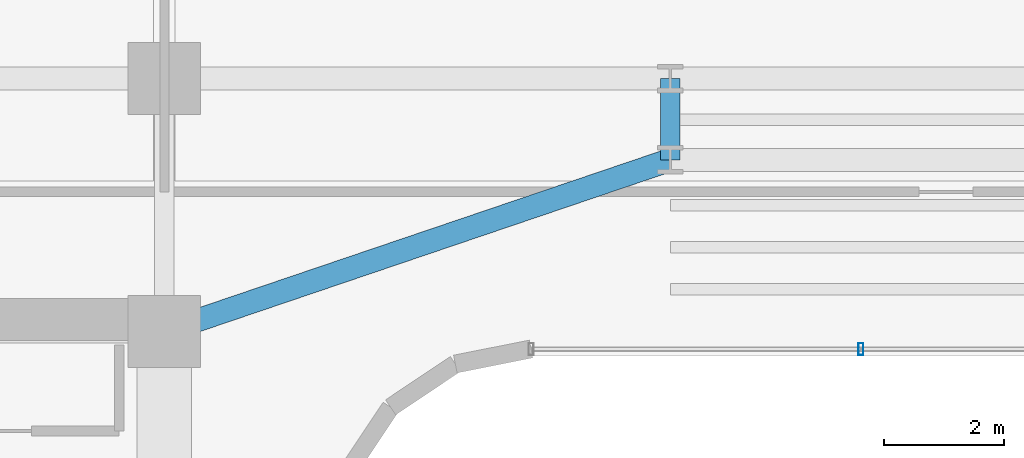
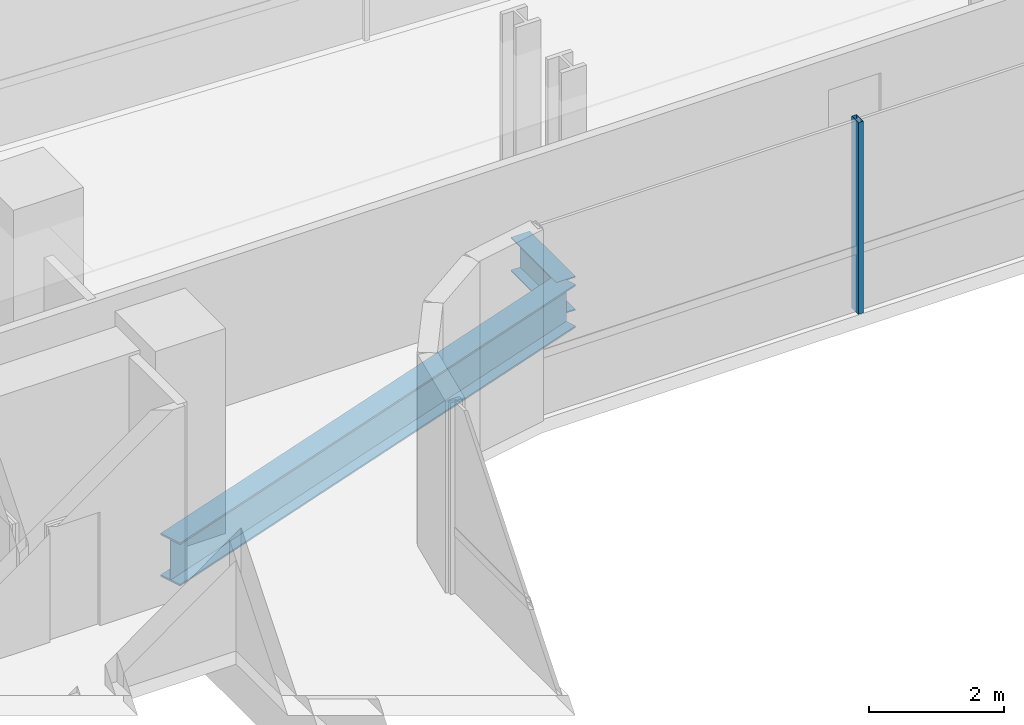
# One storey, part 11 of 34: 2 beams, 1 member, 1 element without a shape of its own.
"""IFC4 building model written with IfcOpenShell, lengths in metres."""

from ifc_helpers import new_model, si_unit, direction, frame, origin, origin_2d, place, context, subcontext, project, spatial, hollow_rectangle, i_section, extrude, source, transform, mapped, material, material_profile, profile_set, type_object, element, aggregate, save


model = new_model("IFC4")

# Units and contexts
model_context = context("Model", 3, precision=1e-05, world=origin(), true_north=direction((0.0, 1.0)))
body_context = subcontext(model_context, "Body", "Model", "MODEL_VIEW")
ifc_project = project(units=[si_unit("LENGTHUNIT", "METRE"), si_unit("AREAUNIT", "SQUARE_METRE"), si_unit("VOLUMEUNIT", "CUBIC_METRE"), si_unit("PLANEANGLEUNIT", "RADIAN"), si_unit("MASSUNIT", "GRAM", prefix="KILO")], contexts=[model_context])

# Site, building, storey
site_placement = place(None, origin())
site = spatial("IfcSite", under=ifc_project, at=site_placement, CompositionType="ELEMENT")
building_placement = place(site_placement, origin())
building = spatial("IfcBuilding", under=site, at=building_placement, Name="Valdorenza Pilgrim Sanctuary Tower", CompositionType="ELEMENT")
storey_placement = place(building_placement, frame((0.0, 0.0, 120.5)))
storey = spatial("IfcBuildingStorey", under=building, at=storey_placement, Name="L30", CompositionType="ELEMENT", Elevation=120.5)

# Beams
ifc_material_1 = material(Name="Steel ASTM A992 Grade 50", Category="steel")
ifc_material_profile_1 = material_profile(ifc_material_1, i_section(OverallWidth=0.323974609375, OverallDepth=0.611083984375, WebThickness=0.0126953125, FlangeThickness=0.01904296875, at=origin_2d()), Name="W24X104")
ifc_profile_set_1 = profile_set([ifc_material_profile_1], Name="Steel ASTM A992 Grade 50")
beam_type_1 = type_object("IfcBeamType", Name="STR-BM-GRD-W24B", PredefinedType="BEAM", material=ifc_profile_set_1)
shared_shape_1 = source(origin(), body_context, "Body", "SweptSolid", [
    extrude(i_section(OverallWidth=0.323974609375, OverallDepth=0.611083984375, WebThickness=0.0126953125, FlangeThickness=0.01904296875, at=origin_2d()), origin(), (0.0, 0.0, 1.0), 1.35009765625),
])
beam_1_placement = place(storey_placement, frame((-4.0, 13.449951171875, -0.54541015625), z_axis=(0.0, 1.0, 0.0), x_axis=(-1.0, 0.0, 0.0)))
element("IfcBeam", 1, at=beam_1_placement, inside=storey, type_object=beam_type_1, Name="L30 Floor Girder KNK-TIE-W", PredefinedType="BEAM", context=body_context, shape_type="MappedRepresentation", body=[
    mapped(shared_shape_1, transform((0.0, 0.0, 0.0), x_axis=(1.0, 0.0, 0.0), y_axis=(0.0, 1.0, 0.0), z_axis=(0.0, 0.0, 1.0), scale=1.0)),
])
ifc_material_profile_2 = material_profile(ifc_material_1, i_section(OverallWidth=0.382080078125, OverallDepth=0.779052734375, WebThickness=0.01806640625, FlangeThickness=0.030029296875, at=origin_2d()), Name="W30X191")
ifc_profile_set_2 = profile_set([ifc_material_profile_2], Name="Steel ASTM A992 Grade 50")
beam_type_2 = type_object("IfcBeamType", Name="STR-BM-GRD-W30", PredefinedType="BEAM", material=ifc_profile_set_2)
shared_shape_2 = source(origin(), body_context, "Body", "SweptSolid", [
    extrude(i_section(OverallWidth=0.382080078125, OverallDepth=0.779052734375, WebThickness=0.01806640625, FlangeThickness=0.030029296875, at=origin_2d()), origin(), (0.0, 0.0, 1.0), 8.8701171875),
])
beam_2_placement = place(storey_placement, frame((-12.39990234375, 10.60009765625, -0.62939453125), z_axis=(0.946982588361, 0.321284885018, 0.0), x_axis=(-0.321284885018, 0.946982588361, 0.0)))
element("IfcBeam", 2, at=beam_2_placement, inside=storey, type_object=beam_type_2, Name="L30 Floor Girder KNK-G1", PredefinedType="BEAM", context=body_context, shape_type="MappedRepresentation", body=[
    mapped(shared_shape_2, transform((0.0, 0.0, 0.0), x_axis=(1.0, 0.0, 0.0), y_axis=(0.0, 1.0, 0.0), z_axis=(0.0, 0.0, 1.0), scale=1.0)),
])

# Curtain wall, member
ifc_material_2 = material(Name="Curtain-wall IGU glazing", Category="glass")
curtain_wall_type = type_object("IfcCurtainWallType", Name="CW-SYS-02", PredefinedType="NOTDEFINED", material=ifc_material_2)
curtain_wall_placement = place(storey_placement, origin())
curtain_wall = element("IfcCurtainWall", 3, at=curtain_wall_placement, inside=storey, type_object=curtain_wall_type, Name="L30 Curtain Wall CW-L30-1-36", PredefinedType="NOTDEFINED")
ifc_material_3 = material(Name="Anodised aluminium AW-6060", Category="aluminium")
ifc_material_profile_3 = material_profile(ifc_material_3, hollow_rectangle(XDim=0.0849609375, YDim=0.199951171875, WallThickness=0.0048828125, at=origin_2d()), Name="ALU-M 200x85x5")
ifc_profile_set_3 = profile_set([ifc_material_profile_3], Name="Anodised aluminium AW-6060")
member_type = type_object("IfcMemberType", Name="CW-MUL-02", PredefinedType="MULLION", material=ifc_profile_set_3)
shared_shape_3 = source(origin(), body_context, "Body", "SweptSolid", [
    extrude(hollow_rectangle(XDim=0.0849609375, YDim=0.199951171875, WallThickness=0.0048828125, at=origin_2d()), origin(), (0.0, 0.0, 1.0), 3.4599609375),
])
member_placement = place(storey_placement, frame((-0.8369140625, 10.31005859375, 0.0), z_axis=(0.0, 0.0, 1.0), x_axis=(-1.0, 0.0, 0.0)))
member = element("IfcMember", 4, at=member_placement, type_object=member_type, Name="CW-L30-1-36 Mullion 3", PredefinedType="MULLION", context=body_context, shape_type="MappedRepresentation", body=[
    mapped(shared_shape_3, transform((0.0, 0.0, 0.0), x_axis=(1.0, 0.0, 0.0), y_axis=(0.0, 1.0, 0.0), z_axis=(0.0, 0.0, 1.0), scale=1.0)),
])
aggregate(curtain_wall, [member])

save(model, "model.ifc")
